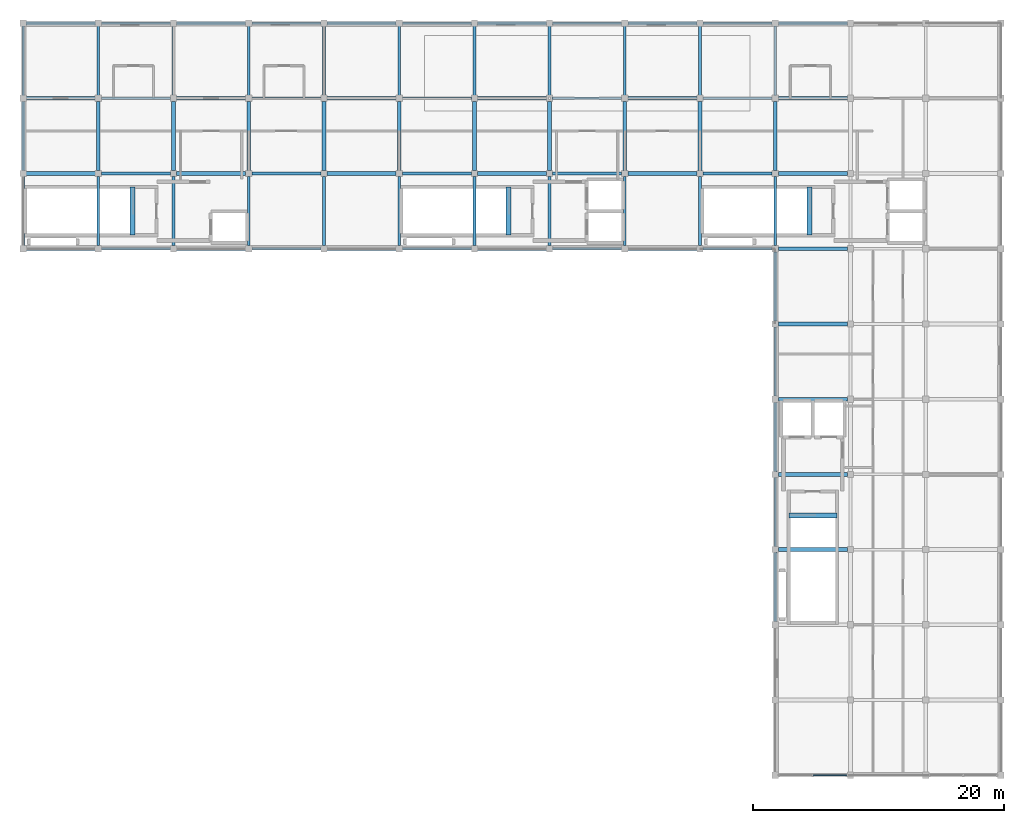
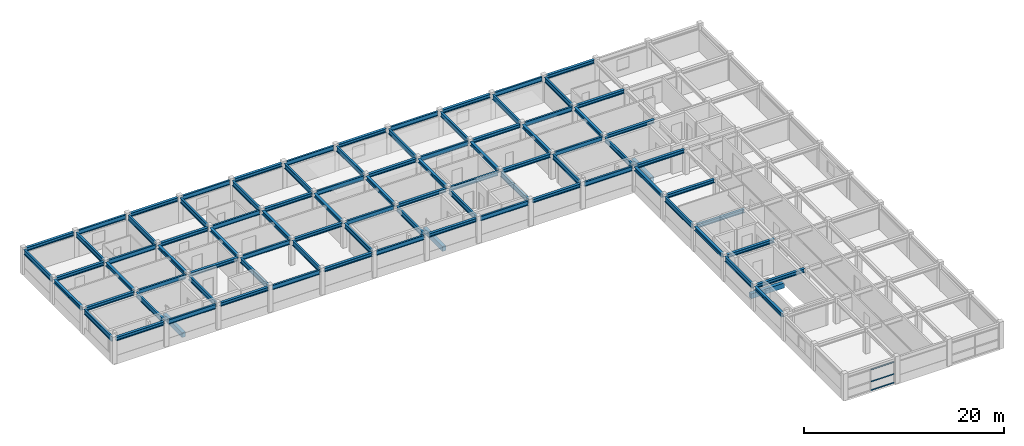
# One storey, part 3 of 11: 90 beams, 3 members, 1 element without a shape of its own.
"""IFC4 building model written with IfcOpenShell, lengths in metres."""

from ifc_helpers import new_model, si_unit, direction, frame, origin, origin_2d, place, context, subcontext, project, spatial, rectangle, hollow_rectangle, i_section, extrude, material, material_profile, profile_set, type_object, element, aggregate, save


model = new_model("IFC4")

# Units and contexts
model_context = context("Model", 3, precision=1e-05, world=origin(), true_north=direction((0.0, 1.0)))
body_context = subcontext(model_context, "Body", "Model", "MODEL_VIEW")
ifc_project = project(units=[si_unit("LENGTHUNIT", "METRE"), si_unit("AREAUNIT", "SQUARE_METRE"), si_unit("VOLUMEUNIT", "CUBIC_METRE"), si_unit("PLANEANGLEUNIT", "RADIAN"), si_unit("MASSUNIT", "GRAM", prefix="KILO"), si_unit("THERMODYNAMICTEMPERATUREUNIT", "KELVIN"), si_unit("POWERUNIT", "WATT")], contexts=[model_context])

# Site, building, storey
site_placement = place(None, origin())
site = spatial("IfcSite", under=ifc_project, at=site_placement, CompositionType="ELEMENT")
building_placement = place(site_placement, origin())
building = spatial("IfcBuilding", under=site, at=building_placement, Name="Phaisarnlok Congress Hotel", CompositionType="ELEMENT")
storey_placement = place(building_placement, frame((0.0, 0.0, 51.300048828125)))
storey = spatial("IfcBuildingStorey", under=building, at=storey_placement, Name="L13", CompositionType="ELEMENT", Elevation=51.300048828125)

# Beams
ifc_material_1 = material(Name="Concrete C40/50", Category="concrete")
ifc_material_profile_1 = material_profile(ifc_material_1, rectangle(XDim=0.39990234375, YDim=0.60009765625, at=origin_2d()), Name="RC 400x600")
ifc_profile_set_1 = profile_set([ifc_material_profile_1], Name="Concrete C40/50")
beam_type_1 = type_object("IfcBeamType", Name="BM-RC-400x600", PredefinedType="BEAM", material=ifc_profile_set_1)
for number, where, z_axis, x_axis, name in (
    (1, (164.719970703125, 109.080078125, -0.300048828125), (0.0, 1.0, 0.0), (-1.0, 0.0, 0.0), "Stair landing header beam B-02 (CORE-1 L13)"),
    (2, (140.719970703125, 109.080078125, -0.300048828125), (0.0, 1.0, 0.0), (-1.0, 0.0, 0.0), "Stair landing header beam B-02 (CORE-2 L13)"),
    (3, (163.080078125, 86.719970703125, -0.300048828125), (1.0, 0.0, 0.0), (0.0, 1.0, 0.0), "Stair landing header beam B-02 (CORE-3 L13)"),
    (4, (110.719970703125, 109.080078125, -0.300048828125), (0.0, 1.0, 0.0), (-1.0, 0.0, 0.0), "Stair landing header beam B-02 (CORE-4 L13)"),
):
    element("IfcBeam", number, at=place(storey_placement, frame(where, z_axis=z_axis, x_axis=x_axis)), inside=storey, type_object=beam_type_1, Name=name, PredefinedType="BEAM", context=body_context, shape_type="SweptSolid", body=[
        extrude(rectangle(XDim=0.39990234375, YDim=0.60009765625, at=origin_2d()), origin(), (0.0, 0.0, 1.0), 3.83984375),
    ])
ifc_material_2 = material(Name="Steel S355", Category="steel")
ifc_material_profile_2 = material_profile(ifc_material_2, i_section(OverallWidth=0.300048828125, OverallDepth=0.43994140625, WebThickness=0.011474609375, FlangeThickness=0.02099609375, FilletRadius=0.027099609375, at=origin_2d()), Name="HEA 450")
ifc_profile_set_2 = profile_set([ifc_material_profile_2], Name="Steel S355")
beam_type_2 = type_object("IfcBeamType", Name="BM-STL-HEA450", PredefinedType="BEAM", material=ifc_profile_set_2)
for number, where, z_axis, x_axis, name in (
    (5, (102.2451171875, 108.0, 2.83984375), (1.0, 0.0, 0.0), (0.0, 1.0, 0.0), "Roof beam SB-06"),
    (6, (102.2451171875, 114.0, 2.83984375), (1.0, 0.0, 0.0), (0.0, 1.0, 0.0), "Roof beam SB-06"),
    (7, (102.2451171875, 120.0, 2.83984375), (1.0, 0.0, 0.0), (0.0, 1.0, 0.0), "Roof beam SB-06"),
    (8, (102.2451171875, 126.0, 2.83984375), (1.0, 0.0, 0.0), (0.0, 1.0, 0.0), "Roof beam SB-06"),
    (9, (114.2451171875, 108.0, 2.83984375), (1.0, 0.0, 0.0), (0.0, 1.0, 0.0), "Roof beam SB-06"),
    (10, (114.2451171875, 114.0, 2.83984375), (1.0, 0.0, 0.0), (0.0, 1.0, 0.0), "Roof beam SB-06"),
    (11, (114.2451171875, 120.0, 2.83984375), (1.0, 0.0, 0.0), (0.0, 1.0, 0.0), "Roof beam SB-06"),
    (12, (114.2451171875, 126.0, 2.83984375), (1.0, 0.0, 0.0), (0.0, 1.0, 0.0), "Roof beam SB-06"),
    (13, (126.2451171875, 108.0, 2.83984375), (1.0, 0.0, 0.0), (0.0, 1.0, 0.0), "Roof beam SB-06"),
    (14, (126.2451171875, 114.0, 2.83984375), (1.0, 0.0, 0.0), (0.0, 1.0, 0.0), "Roof beam SB-06"),
    (15, (126.2451171875, 120.0, 2.83984375), (1.0, 0.0, 0.0), (0.0, 1.0, 0.0), "Roof beam SB-06"),
    (16, (126.2451171875, 126.0, 2.83984375), (1.0, 0.0, 0.0), (0.0, 1.0, 0.0), "Roof beam SB-06"),
    (17, (138.2451171875, 108.0, 2.83984375), (1.0, 0.0, 0.0), (0.0, 1.0, 0.0), "Roof beam SB-06"),
    (18, (138.2451171875, 114.0, 2.83984375), (1.0, 0.0, 0.0), (0.0, 1.0, 0.0), "Roof beam SB-06"),
    (19, (138.2451171875, 120.0, 2.83984375), (1.0, 0.0, 0.0), (0.0, 1.0, 0.0), "Roof beam SB-06"),
    (20, (138.2451171875, 126.0, 2.83984375), (1.0, 0.0, 0.0), (0.0, 1.0, 0.0), "Roof beam SB-06"),
    (21, (150.2451171875, 108.0, 2.83984375), (1.0, 0.0, 0.0), (0.0, 1.0, 0.0), "Roof beam SB-06"),
    (22, (150.2451171875, 114.0, 2.83984375), (1.0, 0.0, 0.0), (0.0, 1.0, 0.0), "Roof beam SB-06"),
    (23, (150.2451171875, 120.0, 2.83984375), (1.0, 0.0, 0.0), (0.0, 1.0, 0.0), "Roof beam SB-06"),
    (24, (150.2451171875, 126.0, 2.83984375), (1.0, 0.0, 0.0), (0.0, 1.0, 0.0), "Roof beam SB-06"),
    (25, (162.2451171875, 84.0, 2.83984375), (1.0, 0.0, 0.0), (0.0, 1.0, 0.0), "Roof beam SB-06"),
    (26, (162.2451171875, 90.0, 2.83984375), (1.0, 0.0, 0.0), (0.0, 1.0, 0.0), "Roof beam SB-06"),
    (27, (162.2451171875, 96.0, 2.83984375), (1.0, 0.0, 0.0), (0.0, 1.0, 0.0), "Roof beam SB-06"),
    (28, (162.2451171875, 102.0, 2.83984375), (1.0, 0.0, 0.0), (0.0, 1.0, 0.0), "Roof beam SB-06"),
    (29, (162.2451171875, 108.0, 2.83984375), (1.0, 0.0, 0.0), (0.0, 1.0, 0.0), "Roof beam SB-06"),
    (30, (162.2451171875, 114.0, 2.83984375), (1.0, 0.0, 0.0), (0.0, 1.0, 0.0), "Roof beam SB-06"),
    (31, (162.2451171875, 120.0, 2.83984375), (1.0, 0.0, 0.0), (0.0, 1.0, 0.0), "Roof beam SB-06"),
    (32, (162.2451171875, 126.0, 2.83984375), (1.0, 0.0, 0.0), (0.0, 1.0, 0.0), "Roof beam SB-06"),
):
    element("IfcBeam", number, at=place(storey_placement, frame(where, z_axis=z_axis, x_axis=x_axis)), inside=storey, type_object=beam_type_2, Name=name, PredefinedType="BEAM", context=body_context, shape_type="SweptSolid", body=[
        extrude(i_section(OverallWidth=0.300048828125, OverallDepth=0.43994140625, WebThickness=0.011474609375, FlangeThickness=0.02099609375, FilletRadius=0.027099609375, at=origin_2d()), origin(), (0.0, 0.0, 1.0), 5.509765625),
    ])
ifc_material_profile_3 = material_profile(ifc_material_2, i_section(OverallWidth=0.300048828125, OverallDepth=0.449951171875, WebThickness=0.013916015625, FlangeThickness=0.02587890625, FilletRadius=0.027099609375, at=origin_2d()), Name="HEB 450")
ifc_profile_set_3 = profile_set([ifc_material_profile_3], Name="Steel S355")
beam_type_3 = type_object("IfcBeamType", Name="BM-STL-HEB450", PredefinedType="BEAM", material=ifc_profile_set_3)
for number, where, z_axis, x_axis, name in (
    (33, (102.0, 114.2451171875, 2.8349609375), (0.0, 1.0, 0.0), (-1.0, 0.0, 0.0), "Roof beam SB-08"),
    (34, (108.0, 114.2451171875, 2.8349609375), (0.0, 1.0, 0.0), (-1.0, 0.0, 0.0), "Roof beam SB-08"),
    (35, (114.0, 114.2451171875, 2.8349609375), (0.0, 1.0, 0.0), (-1.0, 0.0, 0.0), "Roof beam SB-08"),
    (36, (120.0, 114.2451171875, 2.8349609375), (0.0, 1.0, 0.0), (-1.0, 0.0, 0.0), "Roof beam SB-08"),
    (37, (126.0, 114.2451171875, 2.8349609375), (0.0, 1.0, 0.0), (-1.0, 0.0, 0.0), "Roof beam SB-08"),
    (38, (132.0, 114.2451171875, 2.8349609375), (0.0, 1.0, 0.0), (-1.0, 0.0, 0.0), "Roof beam SB-08"),
    (39, (138.0, 114.2451171875, 2.8349609375), (0.0, 1.0, 0.0), (-1.0, 0.0, 0.0), "Roof beam SB-08"),
    (40, (144.0, 114.2451171875, 2.8349609375), (0.0, 1.0, 0.0), (-1.0, 0.0, 0.0), "Roof beam SB-08"),
    (41, (150.0, 114.2451171875, 2.8349609375), (0.0, 1.0, 0.0), (-1.0, 0.0, 0.0), "Roof beam SB-08"),
    (42, (156.0, 114.2451171875, 2.8349609375), (0.0, 1.0, 0.0), (-1.0, 0.0, 0.0), "Roof beam SB-08"),
    (43, (162.0, 78.2451171875, 2.8349609375), (0.0, 1.0, 0.0), (-1.0, 0.0, 0.0), "Roof beam SB-08"),
    (44, (162.0, 90.2451171875, 2.8349609375), (0.0, 1.0, 0.0), (-1.0, 0.0, 0.0), "Roof beam SB-08"),
    (45, (162.0, 102.2451171875, 2.8349609375), (0.0, 1.0, 0.0), (-1.0, 0.0, 0.0), "Roof beam SB-08"),
    (46, (162.0, 114.2451171875, 2.8349609375), (0.0, 1.0, 0.0), (-1.0, 0.0, 0.0), "Roof beam SB-08"),
):
    element("IfcBeam", number, at=place(storey_placement, frame(where, z_axis=z_axis, x_axis=x_axis)), inside=storey, type_object=beam_type_3, Name=name, PredefinedType="BEAM", context=body_context, shape_type="SweptSolid", body=[
        extrude(i_section(OverallWidth=0.300048828125, OverallDepth=0.449951171875, WebThickness=0.013916015625, FlangeThickness=0.02587890625, FilletRadius=0.027099609375, at=origin_2d()), origin(), (0.0, 0.0, 1.0), 5.509765625),
    ])
ifc_material_profile_4 = material_profile(ifc_material_2, i_section(OverallWidth=0.2099609375, OverallDepth=0.550048828125, WebThickness=0.010986328125, FlangeThickness=0.01708984375, FilletRadius=0.02392578125, at=origin_2d()), Name="IPE 550")
ifc_profile_set_4 = profile_set([ifc_material_profile_4], Name="Steel S355")
beam_type_4 = type_object("IfcBeamType", Name="BM-STL-IPE550", PredefinedType="BEAM", material=ifc_profile_set_4)
for number, where, z_axis, x_axis, name in (
    (47, (108.2451171875, 108.0, 2.784912109375), (1.0, 0.0, 0.0), (0.0, 1.0, 0.0), "Roof beam SB-03"),
    (48, (108.2451171875, 114.0, 2.784912109375), (1.0, 0.0, 0.0), (0.0, 1.0, 0.0), "Roof beam SB-03"),
    (49, (108.2451171875, 120.0, 2.784912109375), (1.0, 0.0, 0.0), (0.0, 1.0, 0.0), "Roof beam SB-03"),
    (50, (108.2451171875, 126.0, 2.784912109375), (1.0, 0.0, 0.0), (0.0, 1.0, 0.0), "Roof beam SB-03"),
    (51, (120.2451171875, 108.0, 2.784912109375), (1.0, 0.0, 0.0), (0.0, 1.0, 0.0), "Roof beam SB-03"),
    (52, (120.2451171875, 114.0, 2.784912109375), (1.0, 0.0, 0.0), (0.0, 1.0, 0.0), "Roof beam SB-03"),
    (53, (120.2451171875, 120.0, 2.784912109375), (1.0, 0.0, 0.0), (0.0, 1.0, 0.0), "Roof beam SB-03"),
    (54, (120.2451171875, 126.0, 2.784912109375), (1.0, 0.0, 0.0), (0.0, 1.0, 0.0), "Roof beam SB-03"),
    (55, (132.2451171875, 108.0, 2.784912109375), (1.0, 0.0, 0.0), (0.0, 1.0, 0.0), "Roof beam SB-03"),
    (56, (132.2451171875, 114.0, 2.784912109375), (1.0, 0.0, 0.0), (0.0, 1.0, 0.0), "Roof beam SB-03"),
    (57, (132.2451171875, 120.0, 2.784912109375), (1.0, 0.0, 0.0), (0.0, 1.0, 0.0), "Roof beam SB-03"),
    (58, (132.2451171875, 126.0, 2.784912109375), (1.0, 0.0, 0.0), (0.0, 1.0, 0.0), "Roof beam SB-03"),
    (59, (144.2451171875, 108.0, 2.784912109375), (1.0, 0.0, 0.0), (0.0, 1.0, 0.0), "Roof beam SB-03"),
    (60, (144.2451171875, 114.0, 2.784912109375), (1.0, 0.0, 0.0), (0.0, 1.0, 0.0), "Roof beam SB-03"),
    (61, (144.2451171875, 120.0, 2.784912109375), (1.0, 0.0, 0.0), (0.0, 1.0, 0.0), "Roof beam SB-03"),
    (62, (144.2451171875, 126.0, 2.784912109375), (1.0, 0.0, 0.0), (0.0, 1.0, 0.0), "Roof beam SB-03"),
    (63, (156.2451171875, 108.0, 2.784912109375), (1.0, 0.0, 0.0), (0.0, 1.0, 0.0), "Roof beam SB-03"),
    (64, (156.2451171875, 114.0, 2.784912109375), (1.0, 0.0, 0.0), (0.0, 1.0, 0.0), "Roof beam SB-03"),
    (65, (156.2451171875, 120.0, 2.784912109375), (1.0, 0.0, 0.0), (0.0, 1.0, 0.0), "Roof beam SB-03"),
    (66, (156.2451171875, 126.0, 2.784912109375), (1.0, 0.0, 0.0), (0.0, 1.0, 0.0), "Roof beam SB-03"),
):
    element("IfcBeam", number, at=place(storey_placement, frame(where, z_axis=z_axis, x_axis=x_axis)), inside=storey, type_object=beam_type_4, Name=name, PredefinedType="BEAM", context=body_context, shape_type="SweptSolid", body=[
        extrude(i_section(OverallWidth=0.2099609375, OverallDepth=0.550048828125, WebThickness=0.010986328125, FlangeThickness=0.01708984375, FilletRadius=0.02392578125, at=origin_2d()), origin(), (0.0, 0.0, 1.0), 5.509765625),
    ])
ifc_material_profile_5 = material_profile(ifc_material_2, i_section(OverallWidth=0.219970703125, OverallDepth=0.60009765625, WebThickness=0.011962890625, FlangeThickness=0.01904296875, FilletRadius=0.02392578125, at=origin_2d()), Name="IPE 600")
ifc_profile_set_5 = profile_set([ifc_material_profile_5], Name="Steel S355")
beam_type_5 = type_object("IfcBeamType", Name="BM-STL-IPE600", PredefinedType="BEAM", material=ifc_profile_set_5)
for number, where, z_axis, x_axis, name in (
    (67, (102.0, 108.2451171875, 2.760009765625), (0.0, 1.0, 0.0), (-1.0, 0.0, 0.0), "Roof beam SB-04"),
    (68, (102.0, 120.2451171875, 2.760009765625), (0.0, 1.0, 0.0), (-1.0, 0.0, 0.0), "Roof beam SB-04"),
    (69, (108.0, 108.2451171875, 2.760009765625), (0.0, 1.0, 0.0), (-1.0, 0.0, 0.0), "Roof beam SB-04"),
    (70, (108.0, 120.2451171875, 2.760009765625), (0.0, 1.0, 0.0), (-1.0, 0.0, 0.0), "Roof beam SB-04"),
    (71, (114.0, 108.2451171875, 2.760009765625), (0.0, 1.0, 0.0), (-1.0, 0.0, 0.0), "Roof beam SB-04"),
    (72, (114.0, 120.2451171875, 2.760009765625), (0.0, 1.0, 0.0), (-1.0, 0.0, 0.0), "Roof beam SB-04"),
    (73, (120.0, 108.2451171875, 2.760009765625), (0.0, 1.0, 0.0), (-1.0, 0.0, 0.0), "Roof beam SB-04"),
    (74, (120.0, 120.2451171875, 2.760009765625), (0.0, 1.0, 0.0), (-1.0, 0.0, 0.0), "Roof beam SB-04"),
    (75, (126.0, 108.2451171875, 2.760009765625), (0.0, 1.0, 0.0), (-1.0, 0.0, 0.0), "Roof beam SB-04"),
    (76, (126.0, 120.2451171875, 2.760009765625), (0.0, 1.0, 0.0), (-1.0, 0.0, 0.0), "Roof beam SB-04"),
    (77, (132.0, 108.2451171875, 2.760009765625), (0.0, 1.0, 0.0), (-1.0, 0.0, 0.0), "Roof beam SB-04"),
    (78, (132.0, 120.2451171875, 2.760009765625), (0.0, 1.0, 0.0), (-1.0, 0.0, 0.0), "Roof beam SB-04"),
    (79, (138.0, 108.2451171875, 2.760009765625), (0.0, 1.0, 0.0), (-1.0, 0.0, 0.0), "Roof beam SB-04"),
    (80, (138.0, 120.2451171875, 2.760009765625), (0.0, 1.0, 0.0), (-1.0, 0.0, 0.0), "Roof beam SB-04"),
    (81, (144.0, 108.2451171875, 2.760009765625), (0.0, 1.0, 0.0), (-1.0, 0.0, 0.0), "Roof beam SB-04"),
    (82, (144.0, 120.2451171875, 2.760009765625), (0.0, 1.0, 0.0), (-1.0, 0.0, 0.0), "Roof beam SB-04"),
    (83, (150.0, 108.2451171875, 2.760009765625), (0.0, 1.0, 0.0), (-1.0, 0.0, 0.0), "Roof beam SB-04"),
    (84, (150.0, 120.2451171875, 2.760009765625), (0.0, 1.0, 0.0), (-1.0, 0.0, 0.0), "Roof beam SB-04"),
    (85, (156.0, 108.2451171875, 2.760009765625), (0.0, 1.0, 0.0), (-1.0, 0.0, 0.0), "Roof beam SB-04"),
    (86, (156.0, 120.2451171875, 2.760009765625), (0.0, 1.0, 0.0), (-1.0, 0.0, 0.0), "Roof beam SB-04"),
    (87, (162.0, 84.2451171875, 2.760009765625), (0.0, 1.0, 0.0), (-1.0, 0.0, 0.0), "Roof beam SB-04"),
    (88, (162.0, 96.2451171875, 2.760009765625), (0.0, 1.0, 0.0), (-1.0, 0.0, 0.0), "Roof beam SB-04"),
    (89, (162.0, 108.2451171875, 2.760009765625), (0.0, 1.0, 0.0), (-1.0, 0.0, 0.0), "Roof beam SB-04"),
    (90, (162.0, 120.2451171875, 2.760009765625), (0.0, 1.0, 0.0), (-1.0, 0.0, 0.0), "Roof beam SB-04"),
):
    element("IfcBeam", number, at=place(storey_placement, frame(where, z_axis=z_axis, x_axis=x_axis)), inside=storey, type_object=beam_type_5, Name=name, PredefinedType="BEAM", context=body_context, shape_type="SweptSolid", body=[
        extrude(i_section(OverallWidth=0.219970703125, OverallDepth=0.60009765625, WebThickness=0.011962890625, FlangeThickness=0.01904296875, FilletRadius=0.02392578125, at=origin_2d()), origin(), (0.0, 0.0, 1.0), 5.509765625),
    ])

# Curtain wall, members
ifc_material_3 = material(Name="Thermally Broken Unitised Aluminium & Low-E Glazing", Category="aluminium")
curtain_wall_type = type_object("IfcCurtainWallType", Name="CW-UNIT-39", PredefinedType="NOTDEFINED", material=ifc_material_3)
curtain_wall_placement = place(storey_placement, origin())
curtain_wall = element("IfcCurtainWall", 91, at=curtain_wall_placement, inside=storey, type_object=curtain_wall_type, Name="Unitised curtain wall CW-39 (L13)", PredefinedType="NOTDEFINED")
ifc_material_4 = material(Name="Anodised Aluminium Alloy 6063-T6", Category="aluminium")
ifc_material_profile_6 = material_profile(ifc_material_4, hollow_rectangle(XDim=0.06494140625, YDim=0.139892578125, WallThickness=0.00390625, at=origin_2d()), Name="ALU-T 65x140x4")
ifc_profile_set_6 = profile_set([ifc_material_profile_6], Name="Anodised Aluminium Alloy 6063-T6")
member_type = type_object("IfcMemberType", Name="CWT-150", PredefinedType="USERDEFINED", material=ifc_profile_set_6)
member_1_placement = place(storey_placement, frame((165.014892578125, 66.0, 0.050048828125), z_axis=(1.0, 0.0, 0.0), x_axis=(0.0, 1.0, 0.0)))
member_1 = element("IfcMember", 92, at=member_1_placement, type_object=member_type, Name="Curtain wall transom CWT-01", ObjectType="TRANSOM", PredefinedType="USERDEFINED", context=body_context, shape_type="SweptSolid", body=[
    extrude(hollow_rectangle(XDim=0.06494140625, YDim=0.139892578125, WallThickness=0.00390625, at=origin_2d()), origin(), (0.0, 0.0, 1.0), 2.710205078125),
])
member_2_placement = place(storey_placement, frame((165.014892578125, 66.0, 1.099853515625), z_axis=(1.0, 0.0, 0.0), x_axis=(0.0, 1.0, 0.0)))
member_2 = element("IfcMember", 93, at=member_2_placement, type_object=member_type, Name="Curtain wall transom CWT-01", ObjectType="TRANSOM", PredefinedType="USERDEFINED", context=body_context, shape_type="SweptSolid", body=[
    extrude(hollow_rectangle(XDim=0.06494140625, YDim=0.139892578125, WallThickness=0.00390625, at=origin_2d()), origin(), (0.0, 0.0, 1.0), 2.710205078125),
])
member_3_placement = place(storey_placement, frame((165.014892578125, 66.0, 2.570068359375), z_axis=(1.0, 0.0, 0.0), x_axis=(0.0, 1.0, 0.0)))
member_3 = element("IfcMember", 94, at=member_3_placement, type_object=member_type, Name="Curtain wall transom CWT-01", ObjectType="TRANSOM", PredefinedType="USERDEFINED", context=body_context, shape_type="SweptSolid", body=[
    extrude(hollow_rectangle(XDim=0.06494140625, YDim=0.139892578125, WallThickness=0.00390625, at=origin_2d()), origin(), (0.0, 0.0, 1.0), 2.710205078125),
])
aggregate(curtain_wall, [member_1, member_2, member_3])

save(model, "model.ifc")
